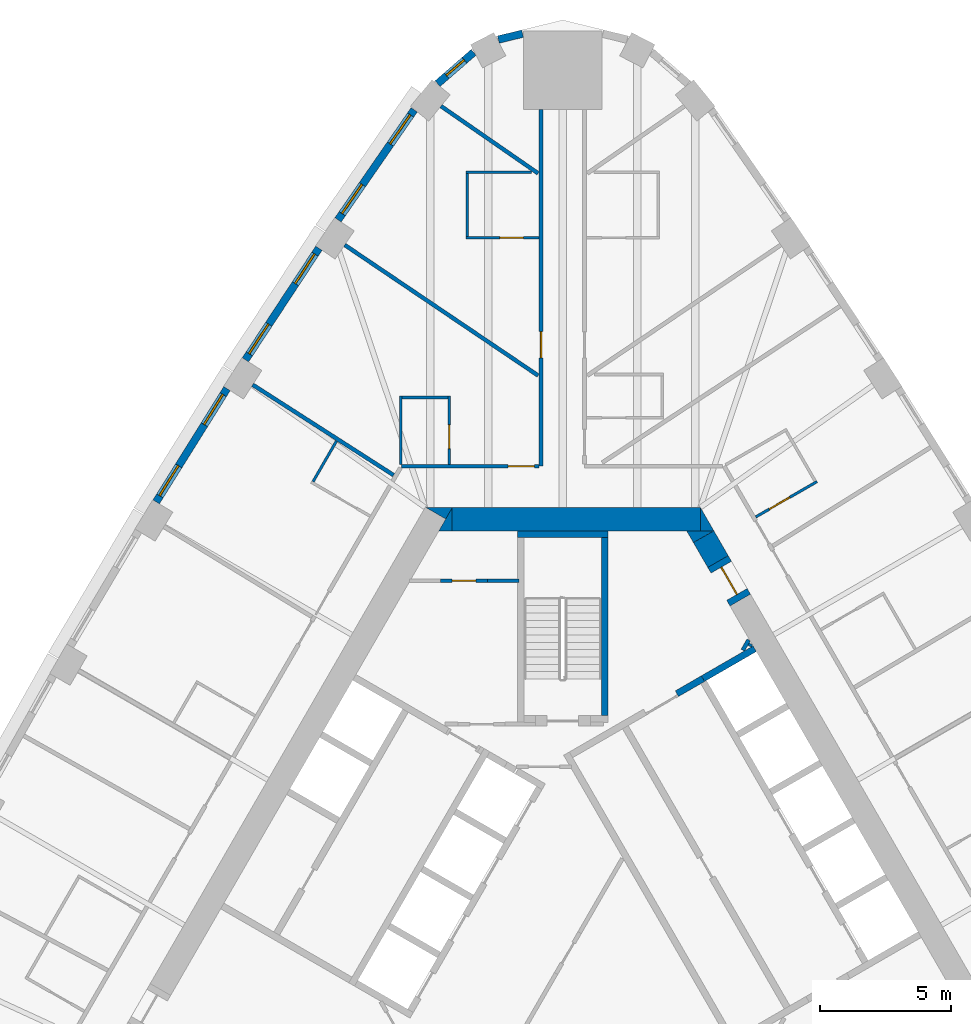
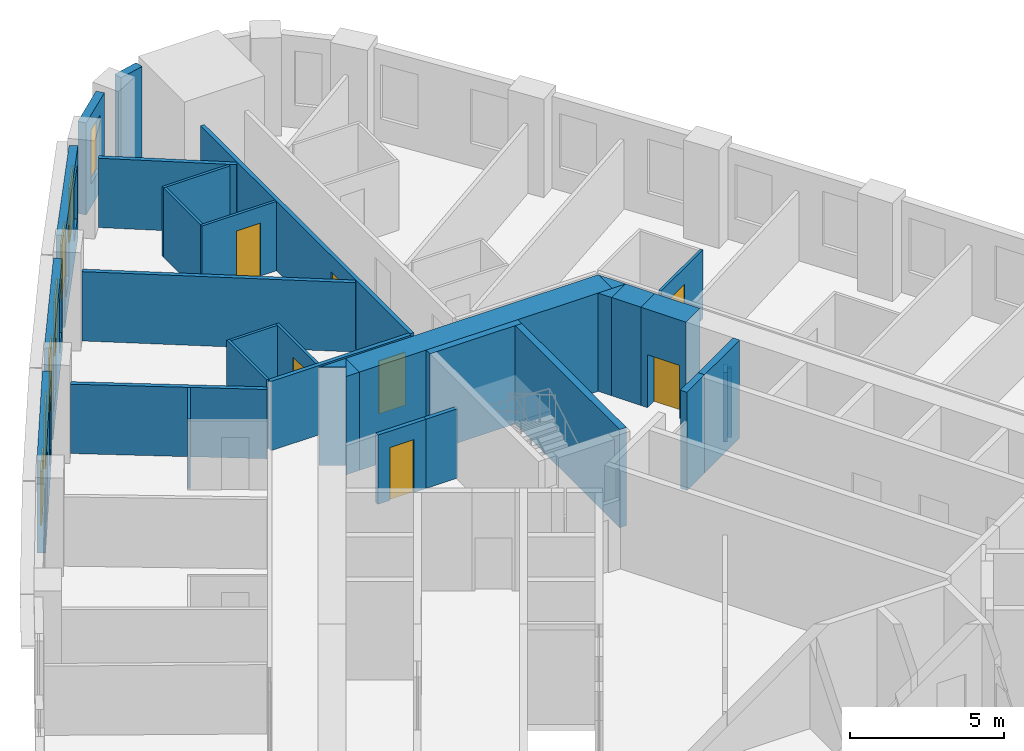
# One storey, part 10 of 13: 33 walls, 7 doors, 7 windows, 14 openings.
"""IFC4 building model written with IfcOpenShell, lengths in metres."""

import ifcopenshell
import ifcopenshell.guid

model = None  # the IFC model being written
_history = None  # IfcOwnerHistory: only IFC2X3 demands one
_inside = {}  # id of a spatial element -> (the spatial element, [elements in it])
_under = {}  # id of a project, library or spatial element -> (it, [spatial elements below it])
_declared = {}  # id of a project -> (the project, [libraries it declares])
_typed = {}  # id of a type object -> (the type object, [elements of that type])
_made_of = {}  # id of a material, layer set ... -> (it, [elements and type objects made of it])


def new_model(schema):
    """Start an empty IFC model of exactly this schema.

    Asked for "IFC4X3", IfcOpenShell would pick the latest addendum, in which some entities
    have other attributes; the version numbers below select the first issue.
    IFC2X3 requires an IfcOwnerHistory on every rooted entity: one is made here for all.
    """
    global model, _history
    if schema == "IFC4X3":
        model = ifcopenshell.file(schema_version=(4, 3, 0, 0))
    else:
        model = ifcopenshell.file(schema=schema)
    _inside.clear()
    _under.clear()
    _declared.clear()
    _typed.clear()
    _made_of.clear()
    _history = None
    if model.schema == "IFC2X3":
        org = make("IfcOrganization", Name="unknown")
        user = make(
            "IfcPersonAndOrganization",
            ThePerson=make("IfcPerson", FamilyName="unknown"),
            TheOrganization=org,
        )
        app = make(
            "IfcApplication",
            ApplicationDeveloper=org,
            Version="unknown",
            ApplicationFullName="unknown",
            ApplicationIdentifier="unknown",
        )
        _history = make(
            "IfcOwnerHistory",
            OwningUser=user,
            OwningApplication=app,
            ChangeAction="ADDED",
            CreationDate=0,
        )
    return model


def make(cls, **values):
    """One entity of the class cls with the attributes given. An attribute that is None is left unset."""
    return model.create_entity(
        cls, **{name: value for name, value in values.items() if value is not None}
    )


def rooted(cls, **values):
    """An entity with a GlobalId (a new one), such as an element, a storey or a relation."""
    return make(cls, GlobalId=ifcopenshell.guid.new(), OwnerHistory=_history, **values)


def si_unit(unit_type, name, prefix=None):
    """IfcSIUnit, for example si_unit("LENGTHUNIT", "METRE", prefix="MILLI")."""
    return make("IfcSIUnit", UnitType=unit_type, Prefix=prefix, Name=name)


def assignment(units):
    """IfcUnitAssignment: the units of a project."""
    return None if units is None else make("IfcUnitAssignment", Units=units)


def point(xyz):
    """IfcCartesianPoint."""
    return None if xyz is None else make("IfcCartesianPoint", Coordinates=xyz)


def direction(xyz):
    """IfcDirection."""
    return None if xyz is None else make("IfcDirection", DirectionRatios=xyz)


def frame(location, z_axis=None, x_axis=None):
    """IfcAxis2Placement3D, a coordinate frame: its origin and axes. An axis left out is left unset."""
    return make(
        "IfcAxis2Placement3D",
        Location=point(location),
        Axis=direction(z_axis),
        RefDirection=direction(x_axis),
    )


def frame_2d(location, x_axis=None):
    """IfcAxis2Placement2D, a coordinate frame in the plane: its origin and x axis."""
    return make(
        "IfcAxis2Placement2D", Location=point(location), RefDirection=direction(x_axis)
    )


def origin():
    """The frame at (0, 0, 0) with its axes left unset."""
    return frame((0.0, 0.0, 0.0))


def place(relative_to, where):
    """IfcLocalPlacement: puts the frame where relative to a parent placement (None: the world)."""
    return make(
        "IfcLocalPlacement", PlacementRelTo=relative_to, RelativePlacement=where
    )


def context(
    kind, dimensions, precision=None, world=None, true_north=None, identifier=None
):
    """IfcGeometricRepresentationContext, for example the 3D "Model" context."""
    return make(
        "IfcGeometricRepresentationContext",
        ContextIdentifier=identifier,
        ContextType=kind,
        CoordinateSpaceDimension=dimensions,
        Precision=precision,
        WorldCoordinateSystem=world,
        TrueNorth=true_north,
    )


def subcontext(parent, identifier, kind, view, scale=None):
    """IfcGeometricRepresentationSubContext, for example "Body" below "Model"."""
    return make(
        "IfcGeometricRepresentationSubContext",
        ContextIdentifier=identifier,
        ContextType=kind,
        ParentContext=parent,
        TargetScale=scale,
        TargetView=view,
    )


def project(units=None, contexts=None):
    """IfcProject with its units and contexts."""
    return rooted(
        "IfcProject",
        Name="project",
        RepresentationContexts=contexts,
        UnitsInContext=assignment(units),
    )


def spatial(cls, under=None, at=None, **own):
    """A site, building, storey or space (cls), placed at a placement, below another one or the project."""
    s = rooted(cls, ObjectPlacement=at, **own)
    if under is not None:
        _under.setdefault(under.id(), (under, []))[1].append(s)
    return s


def polyline(points):
    """IfcPolyline through the points."""
    return make("IfcPolyline", Points=[point(p) for p in points])


def profile(cls, at=None, kind="AREA", **sizes):
    """A parametric profile (cls). Its sizes go by their IFC names, for example OverallWidth=200.0."""
    return make(cls, ProfileType=kind, Position=at, **sizes)


def rectangle(**sizes):
    """IfcRectangleProfileDef."""
    return profile("IfcRectangleProfileDef", **sizes)


def outline(outer, holes=None, kind="AREA"):
    """IfcArbitraryClosedProfileDef: a profile drawn as a closed curve; with holes, ...WithVoids."""
    if holes is None:
        return make("IfcArbitraryClosedProfileDef", ProfileType=kind, OuterCurve=outer)
    return make(
        "IfcArbitraryProfileDefWithVoids",
        ProfileType=kind,
        OuterCurve=outer,
        InnerCurves=holes,
    )


def extrude(swept, where, along, depth):
    """IfcExtrudedAreaSolid: the profile swept, set in the frame where, extruded along a direction by depth."""
    return make(
        "IfcExtrudedAreaSolid",
        SweptArea=swept,
        Position=where,
        ExtrudedDirection=direction(along),
        Depth=depth,
    )


def shape(context_of_items, identifier, shape_type, items):
    """IfcShapeRepresentation: the items that make up one representation, for example the "Body"."""
    return make(
        "IfcShapeRepresentation",
        ContextOfItems=context_of_items,
        RepresentationIdentifier=identifier,
        RepresentationType=shape_type,
        Items=items,
    )


def material(Name=None, Category=None):
    """IfcMaterial."""
    return make("IfcMaterial", Name=Name, Category=Category)


def layer(
    of_material, thickness, ventilated=None, Name=None, Category=None, Priority=None
):
    """IfcMaterialLayer: one layer of a wall or slab, of a material (None: an air gap)."""
    return make(
        "IfcMaterialLayer",
        Material=of_material,
        LayerThickness=thickness,
        IsVentilated=ventilated,
        Name=Name,
        Category=Category,
        Priority=Priority,
    )


def layer_set(layers, Name=None):
    """IfcMaterialLayerSet."""
    return make("IfcMaterialLayerSet", MaterialLayers=layers, LayerSetName=Name)


def made_of(thing, what):
    """Note that an element or type object is made of a material, layer set ...; save() writes the relation."""
    if what is not None:
        _made_of.setdefault(what.id(), (what, []))[1].append(thing)
    return thing


def type_object(cls, material=None, **own):
    """A type object (cls), such as IfcWallType, which elements share."""
    return made_of(rooted(cls, **own), material)


def element(
    cls,
    number,
    at=None,
    inside=None,
    cuts=None,
    type_object=None,
    material=None,
    context=None,
    identifier="Body",
    shape_type=None,
    held_by="IfcProductDefinitionShape",
    body=None,
    shapes=None,
    **own,
):
    """One element of the class cls, such as IfcWall. Its Tag is "e" and its number.

    at: its placement. inside: the storey or other place that contains it. cuts: it is an
    opening in that element (IfcRelVoidsElement). A single representation is given by context,
    identifier, shape_type and body (its items); several are given by shapes. held_by: the class
    of the entity that holds the representations. save() writes the other relations.
    """
    e = rooted(cls, Tag="e%d" % number, ObjectPlacement=at, **own)
    if body is not None:
        shapes = [shape(context, identifier, shape_type, body)]
    if shapes is not None:
        e.Representation = make(held_by, Representations=shapes)
    if inside is not None:
        _inside.setdefault(inside.id(), (inside, []))[1].append(e)
    if cuts is not None:
        rooted(
            "IfcRelVoidsElement", RelatingBuildingElement=cuts, RelatedOpeningElement=e
        )
    if type_object is not None:
        _typed.setdefault(type_object.id(), (type_object, []))[1].append(e)
    return made_of(e, material)


def fill(opening, filler):
    """IfcRelFillsElement: the door or window that sits in an opening."""
    return rooted(
        "IfcRelFillsElement",
        RelatingOpeningElement=opening,
        RelatedBuildingElement=filler,
    )


def aggregate(whole, parts):
    """IfcRelAggregates: a whole, such as a stair, and the parts it consists of."""
    return rooted("IfcRelAggregates", RelatingObject=whole, RelatedObjects=parts)


def save(model, path):
    """Write the relations noted so far, then the file.

    IfcRelAggregates (storeys below a building ...), IfcRelContainedInSpatialStructure (elements
    in a storey), IfcRelDefinesByType, IfcRelAssociatesMaterial and IfcRelDeclares: one each for
    every whole, place, type object, material and project.
    """
    for whole, parts in _under.values():
        aggregate(whole, parts)
    for where, things in _inside.values():
        rooted(
            "IfcRelContainedInSpatialStructure",
            RelatedElements=things,
            RelatingStructure=where,
        )
    for kind, things in _typed.values():
        rooted("IfcRelDefinesByType", RelatedObjects=things, RelatingType=kind)
    for what, things in _made_of.values():
        rooted("IfcRelAssociatesMaterial", RelatedObjects=things, RelatingMaterial=what)
    for by, libraries in _declared.values():
        rooted("IfcRelDeclares", RelatingContext=by, RelatedDefinitions=libraries)
    model.write(path)


model = new_model("IFC4")

# Units and contexts
model_context = context("Model", 3, precision=1e-05, world=origin(), true_north=direction((0.0, 1.0)))
body_context = subcontext(model_context, "Body", "Model", "MODEL_VIEW")
ifc_project = project(units=[si_unit("LENGTHUNIT", "METRE"), si_unit("AREAUNIT", "SQUARE_METRE"), si_unit("VOLUMEUNIT", "CUBIC_METRE"), si_unit("PLANEANGLEUNIT", "RADIAN"), si_unit("MASSUNIT", "GRAM", prefix="KILO")], contexts=[model_context])

# Site, building, storey
site_placement = place(None, origin())
site = spatial("IfcSite", under=ifc_project, at=site_placement, CompositionType="ELEMENT")
building_placement = place(site_placement, origin())
building = spatial("IfcBuilding", under=site, at=building_placement, Name="Mestral Congress Tower", CompositionType="ELEMENT")
storey_placement = place(building_placement, frame((0.0, 0.0, 83.699951171875)))
storey = spatial("IfcBuildingStorey", under=building, at=storey_placement, Name="L19", CompositionType="ELEMENT", Elevation=83.699951171875)

# Walls
ifc_material_1 = material(Name="Fire-rated board partition")
ifc_layer_1 = layer(ifc_material_1, 0.14990234375)
ifc_layer_set_1 = layer_set([ifc_layer_1], Name="Fire-rated board partition")
wall_type_1 = type_object("IfcWallType", Name="Core partition 150", PredefinedType="PARTITIONING", material=ifc_layer_set_1)
wall_1_placement = place(storey_placement, frame((-2.87060546875, 14.10205078125, 0.0), z_axis=(0.0, 0.0, 1.0), x_axis=(1.0, 0.0, 0.0)))
element("IfcWall", 1, at=wall_1_placement, inside=storey, type_object=wall_type_1, Name="L19 core wall", PredefinedType="PARTITIONING", context=body_context, shape_type="SweptSolid", body=[
    extrude(rectangle(XDim=1.195556640625, YDim=0.14990234375, at=frame_2d((0.59765625, 0.0))), origin(), (0.0, 0.0, 1.0), 2.75),
])
wall_2_placement = place(storey_placement, frame((6.87158203125, 11.44970703125, 0.0), z_axis=(0.0, 0.0, 1.0), x_axis=(0.499846793097, 0.866113839764, 0.0)))
element("IfcWall", 2, at=wall_2_placement, inside=storey, type_object=wall_type_1, Name="L19 core wall", PredefinedType="PARTITIONING", context=body_context, shape_type="SweptSolid", body=[
    extrude(rectangle(XDim=0.453369140625, YDim=0.14990234375, at=frame_2d((0.2265625, 0.0))), origin(), (0.0, 0.0, 1.0), 2.75),
])
wall_3_placement = place(storey_placement, frame((7.13134765625, 11.599609375, 0.0), z_axis=(0.0, 0.0, 1.0), x_axis=(0.498600033135, 0.866832167699, 0.0)))
element("IfcWall", 3, at=wall_3_placement, inside=storey, type_object=wall_type_1, Name="L19 core wall", PredefinedType="PARTITIONING", context=body_context, shape_type="SweptSolid", body=[
    extrude(rectangle(XDim=0.106689453125, YDim=0.14990234375, at=frame_2d((0.05322265625, 0.0))), origin(), (0.0, 0.0, 1.0), 2.75),
])

# Wall, opening, door
wall_4_placement = place(storey_placement, frame((-2.870849609375, 14.10205078125, 0.0), z_axis=(0.0, 0.0, 1.0), x_axis=(-1.0, 0.0, 0.0)))
wall_4 = element("IfcWall", 4, at=wall_4_placement, inside=storey, type_object=wall_type_1, Name="L19 door wall", PredefinedType="PARTITIONING", context=body_context, shape_type="SweptSolid", body=[
    extrude(rectangle(XDim=1.800048828125, YDim=0.14990234375, at=frame_2d((0.89990234375, 0.0))), origin(), (0.0, 0.0, 1.0), 2.75),
])
opening_1_placement = place(wall_4_placement, frame((0.449951171875, 0.0, 0.0)))
opening_1 = element("IfcOpeningElement", 5, at=opening_1_placement, cuts=wall_4, Name="Opening SD-WS2", PredefinedType="OPENING", context=body_context, shape_type="SweptSolid", body=[
    extrude(rectangle(XDim=0.89990234375, YDim=2.10009765625, at=frame_2d((0.449951171875, 1.050048828125))), frame((0.0, 0.0849609375, 0.0), z_axis=(0.0, -1.0, 0.0), x_axis=(1.0, 0.0, 0.0)), (0.0, 0.0, 1.0), 0.169921875),
])
ifc_material_2 = material(Name="Fire-rated steel door set", Category="steel")
door_type_1 = type_object("IfcDoorType", Name="Core door SR 900x2100", OperationType="SINGLE_SWING_LEFT", PredefinedType="DOOR", material=ifc_material_2)
door_1_placement = place(opening_1_placement, origin())
door_1 = element("IfcDoor", 6, at=door_1_placement, inside=storey, type_object=door_type_1, Name="Door SD-WS2", OperationType="SINGLE_SWING_LEFT", OverallHeight=2.10009765625, OverallWidth=0.89990234375, PredefinedType="DOOR", context=body_context, shape_type="SweptSolid", body=[
    extrude(rectangle(XDim=0.89990234375, YDim=2.10009765625, at=frame_2d((0.449951171875, 1.050048828125))), frame((0.0, 0.02490234375, 0.0), z_axis=(0.0, -1.0, 0.0), x_axis=(1.0, 0.0, 0.0)), (0.0, 0.0, 1.0), 0.050048828125),
])
fill(opening_1, door_1)

# Walls
ifc_material_3 = material(Name="Concrete C60/75", Category="concrete")
ifc_layer_2 = layer(ifc_material_3, 0.89990234375)
ifc_layer_set_2 = layer_set([ifc_layer_2], Name="Concrete C60/75")
wall_type_2 = type_object("IfcWallType", Name="Core wall RC 900", PredefinedType="SOLIDWALL", material=ifc_layer_set_2)
placement = place(storey_placement, origin())
element("IfcWall", 7, at=placement, inside=storey, type_object=wall_type_2, Name="L19 core wall", PredefinedType="SOLIDWALL", context=body_context, shape_type="SweptSolid", body=[
    extrude(outline(polyline([(-4.214599609375, 16.89990234375), (-4.46875, 16.460205078125), (-5.230712890625, 16.89990234375), (-4.214599609375, 16.89990234375)])), origin(), (0.0, 0.0, 1.0), 3.900146484375),
])
wall_6_placement = place(storey_placement, frame((-4.224365234375, 16.449951171875, 0.0), z_axis=(0.0, 0.0, 1.0), x_axis=(1.0, 0.0, 0.0)))
element("IfcWall", 8, at=wall_6_placement, inside=storey, type_object=wall_type_2, Name="L19 core wall", PredefinedType="SOLIDWALL", context=body_context, shape_type="SweptSolid", body=[
    extrude(rectangle(XDim=9.48779296875, YDim=0.89990234375, at=frame_2d((4.743896484375, 0.0))), origin(), (0.0, 0.0, 1.0), 3.900146484375),
])
element("IfcWall", 9, at=placement, inside=storey, type_object=wall_type_2, Name="L19 core wall", PredefinedType="SOLIDWALL", context=body_context, shape_type="SweptSolid", body=[
    extrude(outline(polyline([(5.265380859375, 16.0), (5.265380859375, 16.8798828125), (5.7734375, 16.0), (5.265380859375, 16.0)])), origin(), (0.0, 0.0, 1.0), 3.900146484375),
])
element("IfcWall", 10, at=placement, inside=storey, type_object=wall_type_2, Name="L19 core wall", PredefinedType="SOLIDWALL", context=body_context, shape_type="SweptSolid", body=[
    extrude(outline(polyline([(-4.734375, 16.0), (-4.226318359375, 16.8798828125), (-4.226318359375, 16.0), (-4.734375, 16.0)])), origin(), (0.0, 0.0, 1.0), 3.900146484375),
])
wall_9_placement = place(storey_placement, frame((5.92578125, 14.836181640625, 0.0), z_axis=(0.0, 0.0, 1.0), x_axis=(-0.500076735116, 0.865981096212, 0.0)))
element("IfcWall", 11, at=wall_9_placement, inside=storey, type_object=wall_type_2, Name="L19 core wall", PredefinedType="SOLIDWALL", context=body_context, shape_type="SweptSolid", body=[
    extrude(rectangle(XDim=1.093505859375, YDim=0.89990234375, at=frame_2d((0.546875, 0.0))), origin(), (0.0, 0.0, 1.0), 3.900146484375),
])
element("IfcWall", 12, at=placement, inside=storey, type_object=wall_type_2, Name="L19 core wall", PredefinedType="SOLIDWALL", context=body_context, shape_type="SweptSolid", body=[
    extrude(outline(polyline([(4.734375, 16.0), (5.750244140625, 16.0), (4.98828125, 15.56005859375), (4.734375, 16.0)])), origin(), (0.0, 0.0, 1.0), 3.900146484375),
])

# Wall, opening, door
wall_11_placement = place(storey_placement, frame((5.92578125, 14.836181640625, 0.0), z_axis=(0.0, 0.0, 1.0), x_axis=(0.500062241894, -0.865989465428, 0.0)))
wall_11 = element("IfcWall", 13, at=wall_11_placement, inside=storey, type_object=wall_type_2, Name="L19 door wall", PredefinedType="SOLIDWALL", context=body_context, shape_type="SweptSolid", body=[
    extrude(rectangle(XDim=1.699951171875, YDim=0.89990234375, at=frame_2d((0.85009765625, 0.0))), origin(), (0.0, 0.0, 1.0), 3.900146484375),
])
opening_2_placement = place(wall_11_placement, frame((0.25, 0.0, 0.0)))
opening_2 = element("IfcOpeningElement", 14, at=opening_2_placement, cuts=wall_11, Name="Opening XD2", PredefinedType="OPENING", context=body_context, shape_type="SweptSolid", body=[
    extrude(rectangle(XDim=1.199951171875, YDim=2.10009765625, at=frame_2d((0.60009765625, 1.050048828125))), frame((0.0, 0.4599609375, 0.0), z_axis=(0.0, -1.0, 0.0), x_axis=(1.0, 0.0, 0.0)), (0.0, 0.0, 1.0), 0.919921875),
])
door_type_2 = type_object("IfcDoorType", Name="Core door XD 1200x2100", OperationType="SINGLE_SWING_LEFT", PredefinedType="DOOR", material=ifc_material_2)
door_2_placement = place(opening_2_placement, origin())
door_2 = element("IfcDoor", 15, at=door_2_placement, inside=storey, type_object=door_type_2, Name="Door XD2", OperationType="SINGLE_SWING_LEFT", OverallHeight=2.10009765625, OverallWidth=1.199951171875, PredefinedType="DOOR", context=body_context, shape_type="SweptSolid", body=[
    extrude(rectangle(XDim=1.199951171875, YDim=2.10009765625, at=frame_2d((0.60009765625, 1.050048828125))), frame((0.0, 0.02490234375, 0.0), z_axis=(0.0, -1.0, 0.0), x_axis=(1.0, 0.0, 0.0)), (0.0, 0.0, 1.0), 0.050048828125),
])
fill(opening_2, door_2)

# Wall
ifc_material_4 = material(Name="Precast concrete C40/50 with limestone facing", Category="masonry")
ifc_layer_3 = layer(ifc_material_4, 0.2900390625)
ifc_layer_set_3 = layer_set([ifc_layer_3], Name="Precast concrete C40/50 with limestone facing")
wall_type_3 = type_object("IfcWallType", Name="Facade stone wall 290", PredefinedType="SOLIDWALL", material=ifc_layer_set_3)
wall_12_placement = place(storey_placement, frame((-1.53515625, 34.9892578125, 0.0), z_axis=(0.0, 0.0, 1.0), x_axis=(-0.971713991574, -0.236160789674, 0.0)))
element("IfcWall", 16, at=wall_12_placement, inside=storey, type_object=wall_type_3, Name="Facade wall K1-2", PredefinedType="SOLIDWALL", context=body_context, shape_type="SweptSolid", body=[
    extrude(rectangle(XDim=0.947021484375, YDim=0.2900390625, at=frame_2d((0.4736328125, 0.0))), origin(), (0.0, 0.0, 1.0), 3.650146484375),
])

# Wall, opening, window
wall_13_placement = place(storey_placement, frame((-3.404541015625, 34.275390625, 0.0), z_axis=(0.0, 0.0, 1.0), x_axis=(-0.754882764627, -0.655859749999, 0.0)))
wall_13 = element("IfcWall", 17, at=wall_13_placement, inside=storey, type_object=wall_type_3, Name="Facade wall K1-3", PredefinedType="SOLIDWALL", context=body_context, shape_type="SweptSolid", body=[
    extrude(rectangle(XDim=1.819580078125, YDim=0.2900390625, at=frame_2d((0.90966796875, 0.0))), origin(), (0.0, 0.0, 1.0), 3.650146484375),
])
opening_3_placement = place(wall_13_placement, frame((0.459716796875, 0.0, 0.89990234375)))
opening_3 = element("IfcOpeningElement", 18, at=opening_3_placement, cuts=wall_13, Name="Opening W3", PredefinedType="OPENING", context=body_context, shape_type="SweptSolid", body=[
    extrude(rectangle(XDim=0.89990234375, YDim=2.14990234375, at=frame_2d((0.449951171875, 1.074951171875))), frame((0.0, 0.155029296875, 0.0), z_axis=(0.0, -1.0, 0.0), x_axis=(1.0, 0.0, 0.0)), (0.0, 0.0, 1.0), 0.31005859375),
])
ifc_material_5 = material(Name="Clear low-emissivity double glazing", Category="glass")
window_type_1 = type_object("IfcWindowType", Name="Facade punched window 900 x 2150 sill 900", PartitioningType="SINGLE_PANEL", PredefinedType="WINDOW", material=ifc_material_5)
window_1_placement = place(opening_3_placement, origin())
window_1 = element("IfcWindow", 19, at=window_1_placement, inside=storey, type_object=window_type_1, Name="Window K1-3", OverallHeight=2.14990234375, OverallWidth=0.89990234375, PartitioningType="SINGLE_PANEL", PredefinedType="WINDOW", context=body_context, shape_type="SweptSolid", body=[
    extrude(rectangle(XDim=0.89990234375, YDim=2.14990234375, at=frame_2d((0.449951171875, 1.074951171875))), frame((0.0, 0.01513671875, 0.0), z_axis=(0.0, -1.0, 0.0), x_axis=(1.0, 0.0, 0.0)), (0.0, 0.0, 1.0), 0.06005859375),
])
fill(opening_3, window_1)

# Wall, openings, windows
wall_14_placement = place(storey_placement, frame((-5.67333984375, 32.0810546875, 0.0), z_axis=(0.0, 0.0, 1.0), x_axis=(-0.569113019126, -0.822259309136, 0.0)))
wall_14 = element("IfcWall", 20, at=wall_14_placement, inside=storey, type_object=wall_type_3, Name="Facade wall F2-00", PredefinedType="SOLIDWALL", context=body_context, shape_type="SweptSolid", body=[
    extrude(rectangle(XDim=5.106689453125, YDim=0.2900390625, at=frame_2d((2.55322265625, 0.0))), origin(), (0.0, 0.0, 1.0), 3.650146484375),
])
opening_4_placement = place(wall_14_placement, frame((0.240478515625, 0.0, 0.89990234375)))
opening_4 = element("IfcOpeningElement", 21, at=opening_4_placement, cuts=wall_14, Name="Opening W2", PredefinedType="OPENING", context=body_context, shape_type="SweptSolid", body=[
    extrude(rectangle(XDim=1.35009765625, YDim=2.14990234375, at=frame_2d((0.675048828125, 1.074951171875))), frame((0.0, 0.155029296875, 0.0), z_axis=(0.0, -1.0, 0.0), x_axis=(1.0, 0.0, 0.0)), (0.0, 0.0, 1.0), 0.31005859375),
])
opening_5_placement = place(wall_14_placement, frame((3.47119140625, 0.0, 0.89990234375)))
opening_5 = element("IfcOpeningElement", 22, at=opening_5_placement, cuts=wall_14, Name="Opening W2", PredefinedType="OPENING", context=body_context, shape_type="SweptSolid", body=[
    extrude(rectangle(XDim=1.35009765625, YDim=2.14990234375, at=frame_2d((0.675048828125, 1.074951171875))), frame((0.0, 0.155029296875, 0.0), z_axis=(0.0, -1.0, 0.0), x_axis=(1.0, 0.0, 0.0)), (0.0, 0.0, 1.0), 0.31005859375),
])
window_type_2 = type_object("IfcWindowType", Name="Facade punched window 1350 x 2150 sill 900", PartitioningType="DOUBLE_PANEL_VERTICAL", PredefinedType="WINDOW", material=ifc_material_5)
window_2_placement = place(opening_4_placement, origin())
window_2 = element("IfcWindow", 23, at=window_2_placement, inside=storey, type_object=window_type_2, Name="Window F2-00a", OverallHeight=2.14990234375, OverallWidth=1.35009765625, PartitioningType="DOUBLE_PANEL_VERTICAL", PredefinedType="WINDOW", context=body_context, shape_type="SweptSolid", body=[
    extrude(rectangle(XDim=1.35009765625, YDim=2.14990234375, at=frame_2d((0.675048828125, 1.074951171875))), frame((0.0, 0.01513671875, 0.0), z_axis=(0.0, -1.0, 0.0), x_axis=(1.0, 0.0, 0.0)), (0.0, 0.0, 1.0), 0.06005859375),
])
fill(opening_4, window_2)
window_3_placement = place(opening_5_placement, origin())
window_3 = element("IfcWindow", 24, at=window_3_placement, inside=storey, type_object=window_type_2, Name="Window F2-00b", OverallHeight=2.14990234375, OverallWidth=1.35009765625, PartitioningType="DOUBLE_PANEL_VERTICAL", PredefinedType="WINDOW", context=body_context, shape_type="SweptSolid", body=[
    extrude(rectangle(XDim=1.35009765625, YDim=2.14990234375, at=frame_2d((0.675048828125, 1.074951171875))), frame((0.0, 0.01513671875, 0.0), z_axis=(0.0, -1.0, 0.0), x_axis=(1.0, 0.0, 0.0)), (0.0, 0.0, 1.0), 0.06005859375),
])
fill(opening_5, window_3)

wall_15_placement = place(storey_placement, frame((-9.310791015625, 26.799072265625, 0.0), z_axis=(0.0, 0.0, 1.0), x_axis=(-0.549741341923, -0.835334937005, 0.0)))
wall_15 = element("IfcWall", 25, at=wall_15_placement, inside=storey, type_object=wall_type_3, Name="Facade wall F2-01", PredefinedType="SOLIDWALL", context=body_context, shape_type="SweptSolid", body=[
    extrude(rectangle(XDim=5.10009765625, YDim=0.2900390625, at=frame_2d((2.550048828125, 0.0))), origin(), (0.0, 0.0, 1.0), 3.650146484375),
])
opening_6_placement = place(wall_15_placement, frame((0.272705078125, 0.0, 0.89990234375)))
opening_6 = element("IfcOpeningElement", 26, at=opening_6_placement, cuts=wall_15, Name="Opening W2", PredefinedType="OPENING", context=body_context, shape_type="SweptSolid", body=[
    extrude(rectangle(XDim=1.35009765625, YDim=2.14990234375, at=frame_2d((0.675048828125, 1.074951171875))), frame((0.0, 0.155029296875, 0.0), z_axis=(0.0, -1.0, 0.0), x_axis=(1.0, 0.0, 0.0)), (0.0, 0.0, 1.0), 0.31005859375),
])
opening_7_placement = place(wall_15_placement, frame((3.477783203125, 0.0, 0.89990234375)))
opening_7 = element("IfcOpeningElement", 27, at=opening_7_placement, cuts=wall_15, Name="Opening W2", PredefinedType="OPENING", context=body_context, shape_type="SweptSolid", body=[
    extrude(rectangle(XDim=1.35009765625, YDim=2.14990234375, at=frame_2d((0.675048828125, 1.074951171875))), frame((0.0, 0.155029296875, 0.0), z_axis=(0.0, -1.0, 0.0), x_axis=(1.0, 0.0, 0.0)), (0.0, 0.0, 1.0), 0.31005859375),
])
window_4_placement = place(opening_6_placement, origin())
window_4 = element("IfcWindow", 28, at=window_4_placement, inside=storey, type_object=window_type_2, Name="Window F2-01a", OverallHeight=2.14990234375, OverallWidth=1.35009765625, PartitioningType="DOUBLE_PANEL_VERTICAL", PredefinedType="WINDOW", context=body_context, shape_type="SweptSolid", body=[
    extrude(rectangle(XDim=1.35009765625, YDim=2.14990234375, at=frame_2d((0.675048828125, 1.074951171875))), frame((0.0, 0.01513671875, 0.0), z_axis=(0.0, -1.0, 0.0), x_axis=(1.0, 0.0, 0.0)), (0.0, 0.0, 1.0), 0.06005859375),
])
fill(opening_6, window_4)
window_5_placement = place(opening_7_placement, origin())
window_5 = element("IfcWindow", 29, at=window_5_placement, inside=storey, type_object=window_type_2, Name="Window F2-01b", OverallHeight=2.14990234375, OverallWidth=1.35009765625, PartitioningType="DOUBLE_PANEL_VERTICAL", PredefinedType="WINDOW", context=body_context, shape_type="SweptSolid", body=[
    extrude(rectangle(XDim=1.35009765625, YDim=2.14990234375, at=frame_2d((0.675048828125, 1.074951171875))), frame((0.0, 0.01513671875, 0.0), z_axis=(0.0, -1.0, 0.0), x_axis=(1.0, 0.0, 0.0)), (0.0, 0.0, 1.0), 0.06005859375),
])
fill(opening_7, window_5)

wall_16_placement = place(storey_placement, frame((-12.820068359375, 21.43896484375, 0.0), z_axis=(0.0, 0.0, 1.0), x_axis=(-0.530072082134, -0.847952585787, 0.0)))
wall_16 = element("IfcWall", 30, at=wall_16_placement, inside=storey, type_object=wall_type_3, Name="Facade wall F2-02", PredefinedType="SOLIDWALL", context=body_context, shape_type="SweptSolid", body=[
    extrude(rectangle(XDim=5.100341796875, YDim=0.2900390625, at=frame_2d((2.55029296875, 0.0))), origin(), (0.0, 0.0, 1.0), 3.650146484375),
])
opening_8_placement = place(wall_16_placement, frame((0.272705078125, 0.0, 0.89990234375)))
opening_8 = element("IfcOpeningElement", 31, at=opening_8_placement, cuts=wall_16, Name="Opening W2", PredefinedType="OPENING", context=body_context, shape_type="SweptSolid", body=[
    extrude(rectangle(XDim=1.35009765625, YDim=2.14990234375, at=frame_2d((0.675048828125, 1.074951171875))), frame((0.0, 0.155029296875, 0.0), z_axis=(0.0, -1.0, 0.0), x_axis=(1.0, 0.0, 0.0)), (0.0, 0.0, 1.0), 0.31005859375),
])
opening_9_placement = place(wall_16_placement, frame((3.477783203125, 0.0, 0.89990234375)))
opening_9 = element("IfcOpeningElement", 32, at=opening_9_placement, cuts=wall_16, Name="Opening W2", PredefinedType="OPENING", context=body_context, shape_type="SweptSolid", body=[
    extrude(rectangle(XDim=1.35009765625, YDim=2.14990234375, at=frame_2d((0.675048828125, 1.074951171875))), frame((0.0, 0.155029296875, 0.0), z_axis=(0.0, -1.0, 0.0), x_axis=(1.0, 0.0, 0.0)), (0.0, 0.0, 1.0), 0.31005859375),
])
window_6_placement = place(opening_8_placement, origin())
window_6 = element("IfcWindow", 33, at=window_6_placement, inside=storey, type_object=window_type_2, Name="Window F2-02a", OverallHeight=2.14990234375, OverallWidth=1.35009765625, PartitioningType="DOUBLE_PANEL_VERTICAL", PredefinedType="WINDOW", context=body_context, shape_type="SweptSolid", body=[
    extrude(rectangle(XDim=1.35009765625, YDim=2.14990234375, at=frame_2d((0.675048828125, 1.074951171875))), frame((0.0, 0.01513671875, 0.0), z_axis=(0.0, -1.0, 0.0), x_axis=(1.0, 0.0, 0.0)), (0.0, 0.0, 1.0), 0.06005859375),
])
fill(opening_8, window_6)
window_7_placement = place(opening_9_placement, origin())
window_7 = element("IfcWindow", 34, at=window_7_placement, inside=storey, type_object=window_type_2, Name="Window F2-02b", OverallHeight=2.14990234375, OverallWidth=1.35009765625, PartitioningType="DOUBLE_PANEL_VERTICAL", PredefinedType="WINDOW", context=body_context, shape_type="SweptSolid", body=[
    extrude(rectangle(XDim=1.35009765625, YDim=2.14990234375, at=frame_2d((0.675048828125, 1.074951171875))), frame((0.0, 0.01513671875, 0.0), z_axis=(0.0, -1.0, 0.0), x_axis=(1.0, 0.0, 0.0)), (0.0, 0.0, 1.0), 0.06005859375),
])
fill(opening_9, window_7)

# Wall, opening, door
ifc_material_6 = material(Name="Gypsum board partition on metal studs with mineral wool", Category="composite")
ifc_layer_4 = layer(ifc_material_6, 0.10009765625)
ifc_layer_set_4 = layer_set([ifc_layer_4], Name="Gypsum board partition on metal studs with mineral wool")
wall_type_4 = type_object("IfcWallType", Name="Hotel partition wall 100", PredefinedType="PARTITIONING", material=ifc_layer_set_4)
wall_17_placement = place(storey_placement, frame((7.3681640625, 16.5380859375, 0.0), z_axis=(0.0, 0.0, 1.0), x_axis=(0.866036505625, 0.499980770555, 0.0)))
wall_17 = element("IfcWall", 35, at=wall_17_placement, inside=storey, type_object=wall_type_4, Name="L19-h-pod16a", PredefinedType="PARTITIONING", context=body_context, shape_type="SweptSolid", body=[
    extrude(rectangle(XDim=2.69970703125, YDim=0.10009765625, at=frame_2d((1.349853515625, 0.0))), origin(), (0.0, 0.0, 1.0), 2.75),
])
opening_10_placement = place(wall_17_placement, frame((0.60009765625, 0.0, 0.0)))
opening_10 = element("IfcOpeningElement", 36, at=opening_10_placement, cuts=wall_17, Name="Opening H06-030", PredefinedType="OPENING", context=body_context, shape_type="SweptSolid", body=[
    extrude(rectangle(XDim=0.89990234375, YDim=2.10009765625, at=frame_2d((0.449951171875, 1.050048828125))), frame((0.0, 0.06005859375, 0.0), z_axis=(0.0, -1.0, 0.0), x_axis=(1.0, 0.0, 0.0)), (0.0, 0.0, 1.0), 0.1201171875),
])
ifc_material_7 = material(Name="Timber veneer door leaf in timber frame", Category="wood")
door_type_3 = type_object("IfcDoorType", Name="Bathroom door 900", OperationType="SINGLE_SWING_LEFT", PredefinedType="DOOR", material=ifc_material_7)
door_3_placement = place(opening_10_placement, origin())
door_3 = element("IfcDoor", 37, at=door_3_placement, inside=storey, type_object=door_type_3, Name="L19-h-d030", OperationType="SINGLE_SWING_LEFT", OverallHeight=2.10009765625, OverallWidth=0.89990234375, PredefinedType="DOOR", context=body_context, shape_type="SweptSolid", body=[
    extrude(rectangle(XDim=0.89990234375, YDim=2.10009765625, at=frame_2d((0.449951171875, 1.050048828125))), frame((0.0, 0.02490234375, 0.0), z_axis=(0.0, -1.0, 0.0), x_axis=(1.0, 0.0, 0.0)), (0.0, 0.0, 1.0), 0.050048828125),
])
fill(opening_10, door_3)

wall_18_placement = place(storey_placement, frame((-3.699951171875, 27.197998046875, 0.0), z_axis=(0.0, 0.0, 1.0), x_axis=(1.0, 0.0, 0.0)))
wall_18 = element("IfcWall", 38, at=wall_18_placement, inside=storey, type_object=wall_type_4, Name="L19-h-pod19a", PredefinedType="PARTITIONING", context=body_context, shape_type="SweptSolid", body=[
    extrude(rectangle(XDim=2.800048828125, YDim=0.10009765625, at=frame_2d((1.39990234375, 0.0))), origin(), (0.0, 0.0, 1.0), 2.75),
])
opening_11_placement = place(wall_18_placement, frame((1.300048828125, 0.0, 0.0)))
opening_11 = element("IfcOpeningElement", 39, at=opening_11_placement, cuts=wall_18, Name="Opening H06-036", PredefinedType="OPENING", context=body_context, shape_type="SweptSolid", body=[
    extrude(rectangle(XDim=0.89990234375, YDim=2.10009765625, at=frame_2d((0.449951171875, 1.050048828125))), frame((0.0, 0.06005859375, 0.0), z_axis=(0.0, -1.0, 0.0), x_axis=(1.0, 0.0, 0.0)), (0.0, 0.0, 1.0), 0.1201171875),
])
door_4_placement = place(opening_11_placement, origin())
door_4 = element("IfcDoor", 40, at=door_4_placement, inside=storey, type_object=door_type_3, Name="L19-h-d036", OperationType="SINGLE_SWING_LEFT", OverallHeight=2.10009765625, OverallWidth=0.89990234375, PredefinedType="DOOR", context=body_context, shape_type="SweptSolid", body=[
    extrude(rectangle(XDim=0.89990234375, YDim=2.10009765625, at=frame_2d((0.449951171875, 1.050048828125))), frame((0.0, 0.02490234375, 0.0), z_axis=(0.0, -1.0, 0.0), x_axis=(1.0, 0.0, 0.0)), (0.0, 0.0, 1.0), 0.050048828125),
])
fill(opening_11, door_4)

# Walls
wall_19_placement = place(storey_placement, frame((-3.64990234375, 27.248046875, 0.0), z_axis=(0.0, 0.0, 1.0), x_axis=(0.0, 1.0, 0.0)))
element("IfcWall", 41, at=wall_19_placement, inside=storey, type_object=wall_type_4, Name="L19-h-pod19b", PredefinedType="PARTITIONING", context=body_context, shape_type="SweptSolid", body=[
    extrude(rectangle(XDim=2.39990234375, YDim=0.10009765625, at=frame_2d((1.199951171875, 0.0))), origin(), (0.0, 0.0, 1.0), 2.75),
])
wall_20_placement = place(storey_placement, frame((-1.199951171875, 29.697998046875, 0.0), z_axis=(0.0, 0.0, 1.0), x_axis=(-1.0, 0.0, 0.0)))
element("IfcWall", 42, at=wall_20_placement, inside=storey, type_object=wall_type_4, Name="L19-h-pod19c", PredefinedType="PARTITIONING", context=body_context, shape_type="SweptSolid", body=[
    extrude(rectangle(XDim=2.5, YDim=0.10009765625, at=frame_2d((1.25, 0.0))), origin(), (0.0, 0.0, 1.0), 2.75),
])

# Wall, opening, door
wall_21_placement = place(storey_placement, frame((-4.333251953125, 18.550048828125, 0.0), z_axis=(0.0, 0.0, 1.0), x_axis=(0.0, 1.0, 0.0)))
wall_21 = element("IfcWall", 43, at=wall_21_placement, inside=storey, type_object=wall_type_4, Name="L19-h-pod20a", PredefinedType="PARTITIONING", context=body_context, shape_type="SweptSolid", body=[
    extrude(rectangle(XDim=2.599853515625, YDim=0.10009765625, at=frame_2d((1.2998046875, 0.0))), origin(), (0.0, 0.0, 1.0), 2.75),
])
opening_12_placement = place(wall_21_placement, frame((0.60009765625, 0.0, 0.0)))
opening_12 = element("IfcOpeningElement", 44, at=opening_12_placement, cuts=wall_21, Name="Opening H06-038", PredefinedType="OPENING", context=body_context, shape_type="SweptSolid", body=[
    extrude(rectangle(XDim=0.89990234375, YDim=2.10009765625, at=frame_2d((0.449951171875, 1.050048828125))), frame((0.0, 0.06005859375, 0.0), z_axis=(0.0, -1.0, 0.0), x_axis=(1.0, 0.0, 0.0)), (0.0, 0.0, 1.0), 0.1201171875),
])
door_5_placement = place(opening_12_placement, origin())
door_5 = element("IfcDoor", 45, at=door_5_placement, inside=storey, type_object=door_type_3, Name="L19-h-d038", OperationType="SINGLE_SWING_LEFT", OverallHeight=2.10009765625, OverallWidth=0.89990234375, PredefinedType="DOOR", context=body_context, shape_type="SweptSolid", body=[
    extrude(rectangle(XDim=0.89990234375, YDim=2.10009765625, at=frame_2d((0.449951171875, 1.050048828125))), frame((0.0, 0.02490234375, 0.0), z_axis=(0.0, -1.0, 0.0), x_axis=(1.0, 0.0, 0.0)), (0.0, 0.0, 1.0), 0.050048828125),
])
fill(opening_12, door_5)

# Walls
wall_22_placement = place(storey_placement, frame((-4.38330078125, 21.10009765625, 0.0), z_axis=(0.0, 0.0, 1.0), x_axis=(-1.0, 0.0, 0.0)))
element("IfcWall", 46, at=wall_22_placement, inside=storey, type_object=wall_type_4, Name="L19-h-pod20b", PredefinedType="PARTITIONING", context=body_context, shape_type="SweptSolid", body=[
    extrude(rectangle(XDim=1.75, YDim=0.10009765625, at=frame_2d((0.875, 0.0))), origin(), (0.0, 0.0, 1.0), 2.75),
])
wall_23_placement = place(storey_placement, frame((-6.18310546875, 18.550048828125, 0.0), z_axis=(0.0, 0.0, 1.0), x_axis=(0.0, 1.0, 0.0)))
element("IfcWall", 47, at=wall_23_placement, inside=storey, type_object=wall_type_4, Name="L19-h-pod20c", PredefinedType="PARTITIONING", context=body_context, shape_type="SweptSolid", body=[
    extrude(rectangle(XDim=2.599853515625, YDim=0.10009765625, at=frame_2d((1.2998046875, 0.0))), origin(), (0.0, 0.0, 1.0), 2.75),
])
wall_24_placement = place(storey_placement, frame((-9.534423828125, 17.885986328125, 0.0), z_axis=(0.0, 0.0, 1.0), x_axis=(0.500041240653, 0.866001592173, 0.0)))
element("IfcWall", 48, at=wall_24_placement, inside=storey, type_object=wall_type_4, Name="L19-h-pod21b", PredefinedType="PARTITIONING", context=body_context, shape_type="SweptSolid", body=[
    extrude(rectangle(XDim=1.789794921875, YDim=0.10009765625, at=frame_2d((0.89501953125, 0.0))), origin(), (0.0, 0.0, 1.0), 2.75),
])

# Wall, opening, door
ifc_layer_5 = layer(ifc_material_6, 0.14990234375)
ifc_layer_set_5 = layer_set([ifc_layer_5], Name="Gypsum board partition on metal studs with mineral wool")
wall_type_5 = type_object("IfcWallType", Name="Hotel partition wall 150", PredefinedType="PARTITIONING", material=ifc_layer_set_5)
wall_25_placement = place(storey_placement, frame((-0.824951171875, 18.47509765625, 0.0), z_axis=(0.0, 0.0, 1.0), x_axis=(0.0, 1.0, 0.0)))
wall_25 = element("IfcWall", 49, at=wall_25_placement, inside=storey, type_object=wall_type_5, Name="L19-h-cw06", PredefinedType="PARTITIONING", context=body_context, shape_type="SweptSolid", body=[
    extrude(rectangle(XDim=13.623291015625, YDim=0.14990234375, at=frame_2d((6.8115234375, 0.0))), origin(), (0.0, 0.0, 1.0), 2.75),
])
opening_13_placement = place(wall_25_placement, frame((4.13525390625, 0.0, 0.0)))
opening_13 = element("IfcOpeningElement", 50, at=opening_13_placement, cuts=wall_25, Name="Opening H06-035", PredefinedType="OPENING", context=body_context, shape_type="SweptSolid", body=[
    extrude(rectangle(XDim=1.0, YDim=2.10009765625, at=frame_2d((0.5, 1.050048828125))), frame((0.0, 0.0849609375, 0.0), z_axis=(0.0, -1.0, 0.0), x_axis=(1.0, 0.0, 0.0)), (0.0, 0.0, 1.0), 0.169921875),
])
ifc_material_8 = material(Name="Timber veneer door leaf in metal frame", Category="wood")
door_type_4 = type_object("IfcDoorType", Name="Guest room entrance door 1000", OperationType="SINGLE_SWING_LEFT", PredefinedType="DOOR", material=ifc_material_8)
door_6_placement = place(opening_13_placement, origin())
door_6 = element("IfcDoor", 51, at=door_6_placement, inside=storey, type_object=door_type_4, Name="L19-h-d035", OperationType="SINGLE_SWING_LEFT", OverallHeight=2.10009765625, OverallWidth=1.0, PredefinedType="DOOR", context=body_context, shape_type="SweptSolid", body=[
    extrude(rectangle(XDim=1.0, YDim=2.10009765625, at=frame_2d((0.5, 1.050048828125))), frame((0.0, 0.02490234375, 0.0), z_axis=(0.0, -1.0, 0.0), x_axis=(1.0, 0.0, 0.0)), (0.0, 0.0, 1.0), 0.050048828125),
])
fill(opening_13, door_6)

wall_26_placement = place(storey_placement, frame((-6.1630859375, 18.47509765625, 0.0), z_axis=(0.0, 0.0, 1.0), x_axis=(1.0, 0.0, 0.0)))
wall_26 = element("IfcWall", 52, at=wall_26_placement, inside=storey, type_object=wall_type_5, Name="L19-h-cw07", PredefinedType="PARTITIONING", context=body_context, shape_type="SweptSolid", body=[
    extrude(rectangle(XDim=5.258056640625, YDim=0.14990234375, at=frame_2d((2.62890625, 0.0))), origin(), (0.0, 0.0, 1.0), 2.75),
])
opening_14_placement = place(wall_26_placement, frame((4.078125, 0.0, 0.0)))
opening_14 = element("IfcOpeningElement", 53, at=opening_14_placement, cuts=wall_26, Name="Opening H06-037", PredefinedType="OPENING", context=body_context, shape_type="SweptSolid", body=[
    extrude(rectangle(XDim=1.0, YDim=2.10009765625, at=frame_2d((0.5, 1.050048828125))), frame((0.0, 0.0849609375, 0.0), z_axis=(0.0, -1.0, 0.0), x_axis=(1.0, 0.0, 0.0)), (0.0, 0.0, 1.0), 0.169921875),
])
door_7_placement = place(opening_14_placement, origin())
door_7 = element("IfcDoor", 54, at=door_7_placement, inside=storey, type_object=door_type_4, Name="L19-h-d037", OperationType="SINGLE_SWING_RIGHT", OverallHeight=2.10009765625, OverallWidth=1.0, PredefinedType="DOOR", context=body_context, shape_type="SweptSolid", body=[
    extrude(rectangle(XDim=1.0, YDim=2.10009765625, at=frame_2d((0.5, 1.050048828125))), frame((0.0, 0.02490234375, 0.0), z_axis=(0.0, -1.0, 0.0), x_axis=(1.0, 0.0, 0.0)), (0.0, 0.0, 1.0), 0.050048828125),
])
fill(opening_14, door_7)

# Walls
wall_27_placement = place(storey_placement, frame((-11.838134765625, 21.585205078125, 0.0), z_axis=(0.0, 0.0, 1.0), x_axis=(0.841699322813, -0.539946525108, 0.0)))
element("IfcWall", 55, at=wall_27_placement, inside=storey, type_object=wall_type_5, Name="L19-h-pw11", PredefinedType="PARTITIONING", context=body_context, shape_type="SweptSolid", body=[
    extrude(rectangle(XDim=6.3916015625, YDim=0.14990234375, at=frame_2d((3.19580078125, 0.0))), origin(), (0.0, 0.0, 1.0), 2.75),
])
wall_28_placement = place(storey_placement, frame((-8.32568359375, 26.922607421875, 0.0), z_axis=(0.0, 0.0, 1.0), x_axis=(0.828836601893, -0.5594907393, 0.0)))
element("IfcWall", 56, at=wall_28_placement, inside=storey, type_object=wall_type_5, Name="L19-h-pw13", PredefinedType="PARTITIONING", context=body_context, shape_type="SweptSolid", body=[
    extrude(rectangle(XDim=8.9091796875, YDim=0.14990234375, at=frame_2d((4.45458984375, 0.0))), origin(), (0.0, 0.0, 1.0), 2.75),
])
wall_29_placement = place(storey_placement, frame((-4.649169921875, 32.223388671875, 0.0), z_axis=(0.0, 0.0, 1.0), x_axis=(0.822262349475, -0.569108626394, 0.0)))
element("IfcWall", 57, at=wall_29_placement, inside=storey, type_object=wall_type_5, Name="L19-h-pw14", PredefinedType="PARTITIONING", context=body_context, shape_type="SweptSolid", body=[
    extrude(rectangle(XDim=4.509521484375, YDim=0.14990234375, at=frame_2d((2.2548828125, 0.0))), origin(), (0.0, 0.0, 1.0), 2.75),
])
ifc_layer_6 = layer(ifc_material_3, 0.25)
ifc_layer_set_6 = layer_set([ifc_layer_6], Name="Concrete C60/75")
wall_type_6 = type_object("IfcWallType", Name="Shaft wall RC 250", PredefinedType="SOLIDWALL", material=ifc_layer_set_6)
wall_30_placement = place(storey_placement, frame((4.3583984375, 9.791015625, 0.0), z_axis=(0.0, 0.0, 1.0), x_axis=(0.866079547155, 0.499906209203, 0.0)))
element("IfcWall", 58, at=wall_30_placement, inside=storey, type_object=wall_type_6, Name="L19 core wall", PredefinedType="SOLIDWALL", context=body_context, shape_type="SweptSolid", body=[
    extrude(rectangle(XDim=1.150146484375, YDim=0.25, at=frame_2d((0.5751953125, 0.0))), origin(), (0.0, 0.0, 1.0), 3.900146484375),
])
wall_31_placement = place(storey_placement, frame((5.356201171875, 10.366943359375, 0.0), z_axis=(0.0, 0.0, 1.0), x_axis=(0.865978535641, 0.50008116922, 0.0)))
element("IfcWall", 59, at=wall_31_placement, inside=storey, type_object=wall_type_6, Name="L19 core wall", PredefinedType="SOLIDWALL", context=body_context, shape_type="SweptSolid", body=[
    extrude(rectangle(XDim=2.27783203125, YDim=0.25, at=frame_2d((1.138916015625, 0.0))), origin(), (0.0, 0.0, 1.0), 3.900146484375),
])
ifc_layer_7 = layer(ifc_material_3, 0.25)
ifc_layer_set_7 = layer_set([ifc_layer_7], Name="Concrete C60/75")
wall_type_7 = type_object("IfcWallType", Name="Stair wall RC 250", PredefinedType="SOLIDWALL", material=ifc_layer_set_7)
wall_32_placement = place(storey_placement, frame((-1.72509765625, 15.875, 0.0), z_axis=(0.0, 0.0, 1.0), x_axis=(1.0, 0.0, 0.0)))
element("IfcWall", 60, at=wall_32_placement, inside=storey, type_object=wall_type_7, Name="L19 core wall", PredefinedType="SOLIDWALL", context=body_context, shape_type="SweptSolid", body=[
    extrude(rectangle(XDim=3.4501953125, YDim=0.25, at=frame_2d((1.72509765625, 0.0))), origin(), (0.0, 0.0, 1.0), 3.900146484375),
])
wall_33_placement = place(storey_placement, frame((1.60009765625, 8.949951171875, 0.0), z_axis=(0.0, 0.0, 1.0), x_axis=(0.0, 1.0, 0.0)))
element("IfcWall", 61, at=wall_33_placement, inside=storey, type_object=wall_type_7, Name="L19 core wall", PredefinedType="SOLIDWALL", context=body_context, shape_type="SweptSolid", body=[
    extrude(rectangle(XDim=6.800048828125, YDim=0.25, at=frame_2d((3.39990234375, 0.0))), origin(), (0.0, 0.0, 1.0), 3.900146484375),
])

save(model, "model.ifc")
